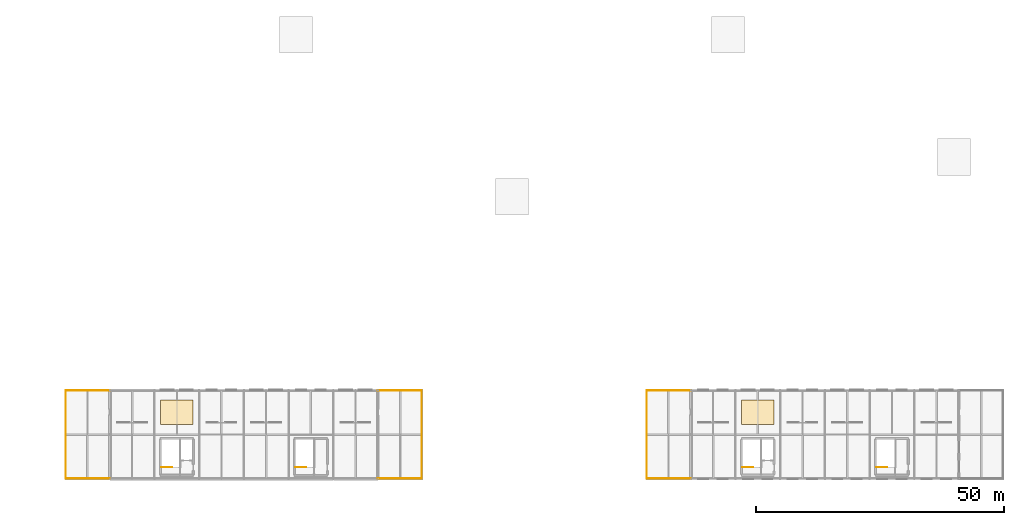
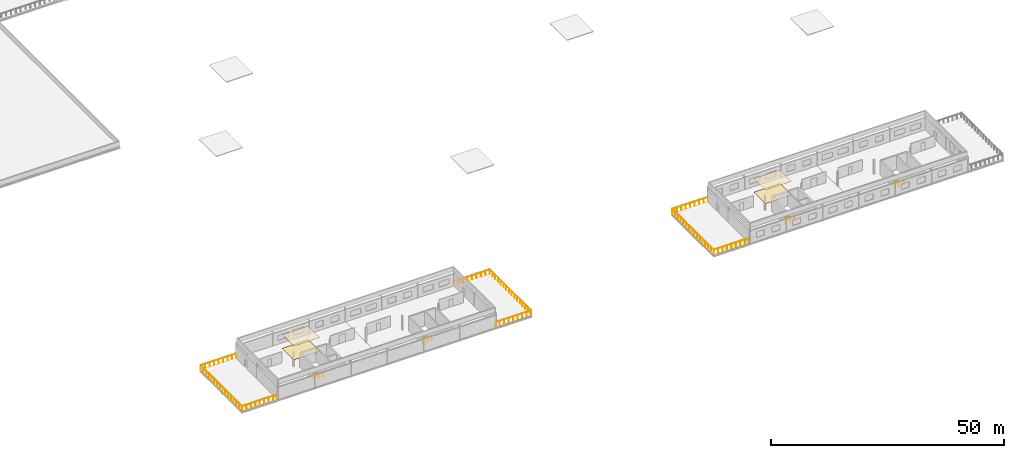
# One storey, part 16 of 18: 7 railings, 4 coverings.
"""IFC4 building model written with IfcOpenShell, lengths in metres."""

from ifc_helpers import new_model, si_unit, direction, frame, origin, origin_2d, place, context, subcontext, project, spatial, rectangle, circle, extrude, material, layer, layer_set, type_object, element, save


model = new_model("IFC4")

# Units and contexts
model_context = context("Model", 3, precision=1e-05, world=origin(), true_north=direction((0.0, 1.0)))
body_context = subcontext(model_context, "Body", "Model", "MODEL_VIEW")
ifc_project = project(units=[si_unit("LENGTHUNIT", "METRE"), si_unit("AREAUNIT", "SQUARE_METRE"), si_unit("VOLUMEUNIT", "CUBIC_METRE"), si_unit("PLANEANGLEUNIT", "RADIAN"), si_unit("MASSUNIT", "GRAM", prefix="KILO")], contexts=[model_context])

# Site, building, storey
site_placement = place(None, origin())
site = spatial("IfcSite", under=ifc_project, at=site_placement, CompositionType="ELEMENT")
building_placement = place(site_placement, origin())
building = spatial("IfcBuilding", under=site, at=building_placement, Name="Kildeholm Park Wholesale Market", CompositionType="ELEMENT")
storey_placement = place(building_placement, frame((0.0, 0.0, 13.5)))
storey = spatial("IfcBuildingStorey", under=building, at=storey_placement, Name="L03", CompositionType="ELEMENT", Elevation=13.5)

# Coverings
ifc_material_1 = material(Name="Polished terrazzo flooring")
ifc_layer_1 = layer(ifc_material_1, 0.030029296875)
ifc_layer_set_1 = layer_set([ifc_layer_1], Name="Polished terrazzo flooring")
covering_type_1 = type_object("IfcCoveringType", Name="Heavy-duty terrazzo market flooring CV-FLR1 30 mm", PredefinedType="FLOORING", material=ifc_layer_set_1)
for number, where, z_axis, x_axis, name in (
    (1, (31.5, 13.5, 0.0), (0.0, 0.0, 1.0), (1.0, 0.0, 0.0), "Market floor finish 11 COV-0061"),
    (2, (148.5, 13.5, 0.0), (0.0, 0.0, 1.0), (1.0, 0.0, 0.0), "Market floor finish 12 COV-0063"),
):
    element("IfcCovering", number, at=place(storey_placement, frame(where, z_axis=z_axis, x_axis=x_axis)), inside=storey, type_object=covering_type_1, Name=name, PredefinedType="FLOORING", context=body_context, shape_type="SweptSolid", body=[
        extrude(rectangle(XDim=6.5, YDim=5.0, at=origin_2d()), origin(), (0.0, 0.0, 1.0), 0.030029296875),
    ])
ifc_material_2 = material(Name="Washable acoustic mineral-fibre and aluminium ceiling", Category="aluminium")
ifc_layer_2 = layer(ifc_material_2, 0.044921875)
ifc_layer_set_2 = layer_set([ifc_layer_2], Name="Washable acoustic mineral-fibre and aluminium ceiling")
covering_type_2 = type_object("IfcCoveringType", Name="Hygienic acoustic suspended ceiling CV-CLG1 45 mm", PredefinedType="CEILING", material=ifc_layer_set_2)
covering_1_placement = place(storey_placement, frame((31.5, 13.5, 3.574951171875), z_axis=(0.0, 0.0, 1.0), x_axis=(1.0, 0.0, 0.0)))
element("IfcCovering", 3, at=covering_1_placement, inside=storey, type_object=covering_type_2, Name="Acoustic ceiling 11 COV-0062", PredefinedType="CEILING", context=body_context, shape_type="SweptSolid", body=[
    extrude(rectangle(XDim=6.5, YDim=5.0, at=origin_2d()), origin(), (0.0, 0.0, 1.0), 0.044921875),
])

# Railings
ifc_material_3 = material(Name="Painted steel and laminated glass balustrade", Category="steel")
railing_type_1 = type_object("IfcRailingType", Name="Interior gallery and stairwell guard GR-IN1 1200 mm", PredefinedType="GUARDRAIL", material=ifc_material_3)
for number, where, name in (
    (4, (28.360107421875, 2.429931640625, 0.0), "Stair C04 upper floor well guard L03 RLG-0059"),
    (5, (55.360107421875, 2.429931640625, 0.0), "Stair C05 upper floor well guard L03 RLG-0071"),
    (6, (145.360107421875, 2.429931640625, 0.0), "Stair C06 upper floor well guard L03 RLG-0083"),
    (7, (172.360107421875, 2.429931640625, 0.0), "Stair C07 upper floor well guard L03 RLG-0095"),
):
    element("IfcRailing", number, at=place(storey_placement, frame(where)), inside=storey, type_object=railing_type_1, Name=name, PredefinedType="GUARDRAIL", context=body_context, shape_type="SweptSolid", body=[
        extrude(circle(Radius=0.02392578125, at=origin_2d()), frame((0.0, 0.0, 1.17578125), z_axis=(1.0, 0.0, 0.0), x_axis=(0.0, 1.0, 0.0)), (0.0, 0.0, 1.0), 2.18994140625),
        extrude(circle(Radius=0.02099609375, at=origin_2d()), origin(), (0.0, 0.0, 1.0), 1.15185546875),
        extrude(circle(Radius=0.02099609375, at=origin_2d()), frame((1.094970703125, 0.0, 0.0)), (0.0, 0.0, 1.0), 1.15185546875),
        extrude(circle(Radius=0.02099609375, at=origin_2d()), frame((2.18994140625, 0.0, 0.0)), (0.0, 0.0, 1.0), 1.15185546875),
    ])
ifc_material_4 = material(Name="Painted galvanized steel and ceramic balustrade", Category="steel")
railing_type_2 = type_object("IfcRailingType", Name="Park terrace ornamental balustrade GR-EX2 1250 mm", PredefinedType="GUARDRAIL", material=ifc_material_4)
railing_1_placement = place(storey_placement, frame((135.0, 0.14990234375, 0.0)))
element("IfcRailing", 8, at=railing_1_placement, inside=storey, type_object=railing_type_2, Name="V5E L03 west terrace balustrade RLG-0008", PredefinedType="GUARDRAIL", context=body_context, shape_type="SweptSolid", body=[
    extrude(circle(Radius=0.02392578125, at=origin_2d()), frame((0.0, 0.0, 1.22607421875), z_axis=(-1.0, 0.0, 0.0), x_axis=(0.0, -1.0, 0.0)), (0.0, 0.0, 1.0), 8.85009765625),
    extrude(circle(Radius=0.02392578125, at=origin_2d()), frame((-8.85009765625, 0.0, 1.22607421875), z_axis=(0.0, 1.0, 0.0), x_axis=(-1.0, 0.0, 0.0)), (0.0, 0.0, 1.0), 17.7001953125),
    extrude(circle(Radius=0.02392578125, at=origin_2d()), frame((-8.85009765625, 17.7001953125, 1.22607421875), z_axis=(1.0, 0.0, 0.0), x_axis=(0.0, 1.0, 0.0)), (0.0, 0.0, 1.0), 8.85009765625),
    extrude(circle(Radius=0.02099609375, at=origin_2d()), origin(), (0.0, 0.0, 1.0), 1.201904296875),
    extrude(circle(Radius=0.02099609375, at=origin_2d()), frame((-1.106201171875, 0.0, 0.0)), (0.0, 0.0, 1.0), 1.201904296875),
    extrude(circle(Radius=0.02099609375, at=origin_2d()), frame((-2.21240234375, 0.0, 0.0)), (0.0, 0.0, 1.0), 1.201904296875),
    extrude(circle(Radius=0.02099609375, at=origin_2d()), frame((-3.31884765625, 0.0, 0.0)), (0.0, 0.0, 1.0), 1.201904296875),
    extrude(circle(Radius=0.02099609375, at=origin_2d()), frame((-4.425048828125, 0.0, 0.0)), (0.0, 0.0, 1.0), 1.201904296875),
    extrude(circle(Radius=0.02099609375, at=origin_2d()), frame((-5.53125, 0.0, 0.0)), (0.0, 0.0, 1.0), 1.201904296875),
    extrude(circle(Radius=0.02099609375, at=origin_2d()), frame((-6.6376953125, 0.0, 0.0)), (0.0, 0.0, 1.0), 1.201904296875),
    extrude(circle(Radius=0.02099609375, at=origin_2d()), frame((-7.743896484375, 0.0, 0.0)), (0.0, 0.0, 1.0), 1.201904296875),
    extrude(circle(Radius=0.02099609375, at=origin_2d()), frame((-8.85009765625, 0.0, 0.0)), (0.0, 0.0, 1.0), 1.201904296875),
    extrude(circle(Radius=0.02099609375, at=origin_2d()), frame((-8.85009765625, 1.179931640625, 0.0)), (0.0, 0.0, 1.0), 1.201904296875),
    extrude(circle(Radius=0.02099609375, at=origin_2d()), frame((-8.85009765625, 2.360107421875, 0.0)), (0.0, 0.0, 1.0), 1.201904296875),
    extrude(circle(Radius=0.02099609375, at=origin_2d()), frame((-8.85009765625, 3.5400390625, 0.0)), (0.0, 0.0, 1.0), 1.201904296875),
    extrude(circle(Radius=0.02099609375, at=origin_2d()), frame((-8.85009765625, 4.719970703125, 0.0)), (0.0, 0.0, 1.0), 1.201904296875),
    extrude(circle(Radius=0.02099609375, at=origin_2d()), frame((-8.85009765625, 5.900146484375, 0.0)), (0.0, 0.0, 1.0), 1.201904296875),
    extrude(circle(Radius=0.02099609375, at=origin_2d()), frame((-8.85009765625, 7.080078125, 0.0)), (0.0, 0.0, 1.0), 1.201904296875),
    extrude(circle(Radius=0.02099609375, at=origin_2d()), frame((-8.85009765625, 8.260009765625, 0.0)), (0.0, 0.0, 1.0), 1.201904296875),
    extrude(circle(Radius=0.02099609375, at=origin_2d()), frame((-8.85009765625, 9.440185546875, 0.0)), (0.0, 0.0, 1.0), 1.201904296875),
    extrude(circle(Radius=0.02099609375, at=origin_2d()), frame((-8.85009765625, 10.6201171875, 0.0)), (0.0, 0.0, 1.0), 1.201904296875),
    extrude(circle(Radius=0.02099609375, at=origin_2d()), frame((-8.85009765625, 11.800048828125, 0.0)), (0.0, 0.0, 1.0), 1.201904296875),
    extrude(circle(Radius=0.02099609375, at=origin_2d()), frame((-8.85009765625, 12.980224609375, 0.0)), (0.0, 0.0, 1.0), 1.201904296875),
    extrude(circle(Radius=0.02099609375, at=origin_2d()), frame((-8.85009765625, 14.16015625, 0.0)), (0.0, 0.0, 1.0), 1.201904296875),
    extrude(circle(Radius=0.02099609375, at=origin_2d()), frame((-8.85009765625, 15.340087890625, 0.0)), (0.0, 0.0, 1.0), 1.201904296875),
    extrude(circle(Radius=0.02099609375, at=origin_2d()), frame((-8.85009765625, 16.520263671875, 0.0)), (0.0, 0.0, 1.0), 1.201904296875),
    extrude(circle(Radius=0.02099609375, at=origin_2d()), frame((-8.85009765625, 17.7001953125, 0.0)), (0.0, 0.0, 1.0), 1.201904296875),
    extrude(circle(Radius=0.02099609375, at=origin_2d()), frame((-7.743896484375, 17.7001953125, 0.0)), (0.0, 0.0, 1.0), 1.201904296875),
    extrude(circle(Radius=0.02099609375, at=origin_2d()), frame((-6.6376953125, 17.7001953125, 0.0)), (0.0, 0.0, 1.0), 1.201904296875),
    extrude(circle(Radius=0.02099609375, at=origin_2d()), frame((-5.53125, 17.7001953125, 0.0)), (0.0, 0.0, 1.0), 1.201904296875),
    extrude(circle(Radius=0.02099609375, at=origin_2d()), frame((-4.425048828125, 17.7001953125, 0.0)), (0.0, 0.0, 1.0), 1.201904296875),
    extrude(circle(Radius=0.02099609375, at=origin_2d()), frame((-3.31884765625, 17.7001953125, 0.0)), (0.0, 0.0, 1.0), 1.201904296875),
    extrude(circle(Radius=0.02099609375, at=origin_2d()), frame((-2.21240234375, 17.7001953125, 0.0)), (0.0, 0.0, 1.0), 1.201904296875),
    extrude(circle(Radius=0.02099609375, at=origin_2d()), frame((-1.106201171875, 17.7001953125, 0.0)), (0.0, 0.0, 1.0), 1.201904296875),
    extrude(circle(Radius=0.02099609375, at=origin_2d()), frame((0.0, 17.7001953125, 0.0)), (0.0, 0.0, 1.0), 1.201904296875),
])

# Covering
ifc_material_5 = material(Name="Fire-retardant acoustic baffle ceiling")
ifc_layer_3 = layer(ifc_material_5, 0.054931640625)
ifc_layer_set_3 = layer_set([ifc_layer_3], Name="Fire-retardant acoustic baffle ceiling")
covering_type_3 = type_object("IfcCoveringType", Name="Perforated acoustic timber-slat ceiling CV-CLG2 55 mm", PredefinedType="CEILING", material=ifc_layer_set_3)
covering_2_placement = place(storey_placement, frame((148.5, 13.5, 3.56494140625), z_axis=(0.0, 0.0, 1.0), x_axis=(1.0, 0.0, 0.0)))
element("IfcCovering", 9, at=covering_2_placement, inside=storey, type_object=covering_type_3, Name="Acoustic ceiling 12 COV-0064", PredefinedType="CEILING", context=body_context, shape_type="SweptSolid", body=[
    extrude(rectangle(XDim=6.5, YDim=5.0, at=origin_2d()), origin(), (0.0, 0.0, 1.0), 0.054931640625),
])

# Railings
ifc_material_6 = material(Name="Painted galvanized steel and stainless-steel balustrade", Category="steel")
railing_type_3 = type_object("IfcRailingType", Name="Terrace and roof-garden balustrade GR-EX1 1200 mm", PredefinedType="GUARDRAIL", material=ifc_material_6)
railing_2_placement = place(storey_placement, frame((18.0, 0.14990234375, 0.0)))
element("IfcRailing", 10, at=railing_2_placement, inside=storey, type_object=railing_type_3, Name="V5W L03 west terrace balustrade RLG-0005", PredefinedType="GUARDRAIL", context=body_context, shape_type="SweptSolid", body=[
    extrude(circle(Radius=0.02392578125, at=origin_2d()), frame((0.0, 0.0, 1.17578125), z_axis=(-1.0, 0.0, 0.0), x_axis=(0.0, -1.0, 0.0)), (0.0, 0.0, 1.0), 8.85009765625),
    extrude(circle(Radius=0.02392578125, at=origin_2d()), frame((-8.85009765625, 0.0, 1.17578125), z_axis=(0.0, 1.0, 0.0), x_axis=(-1.0, 0.0, 0.0)), (0.0, 0.0, 1.0), 17.7001953125),
    extrude(circle(Radius=0.02392578125, at=origin_2d()), frame((-8.85009765625, 17.7001953125, 1.17578125), z_axis=(1.0, 0.0, 0.0), x_axis=(0.0, 1.0, 0.0)), (0.0, 0.0, 1.0), 8.85009765625),
    extrude(circle(Radius=0.02099609375, at=origin_2d()), origin(), (0.0, 0.0, 1.0), 1.15185546875),
    extrude(circle(Radius=0.02099609375, at=origin_2d()), frame((-1.106201171875, 0.0, 0.0)), (0.0, 0.0, 1.0), 1.15185546875),
    extrude(circle(Radius=0.02099609375, at=origin_2d()), frame((-2.21240234375, 0.0, 0.0)), (0.0, 0.0, 1.0), 1.15185546875),
    extrude(circle(Radius=0.02099609375, at=origin_2d()), frame((-3.31884765625, 0.0, 0.0)), (0.0, 0.0, 1.0), 1.15185546875),
    extrude(circle(Radius=0.02099609375, at=origin_2d()), frame((-4.425048828125, 0.0, 0.0)), (0.0, 0.0, 1.0), 1.15185546875),
    extrude(circle(Radius=0.02099609375, at=origin_2d()), frame((-5.53125, 0.0, 0.0)), (0.0, 0.0, 1.0), 1.15185546875),
    extrude(circle(Radius=0.02099609375, at=origin_2d()), frame((-6.6376953125, 0.0, 0.0)), (0.0, 0.0, 1.0), 1.15185546875),
    extrude(circle(Radius=0.02099609375, at=origin_2d()), frame((-7.743896484375, 0.0, 0.0)), (0.0, 0.0, 1.0), 1.15185546875),
    extrude(circle(Radius=0.02099609375, at=origin_2d()), frame((-8.85009765625, 0.0, 0.0)), (0.0, 0.0, 1.0), 1.15185546875),
    extrude(circle(Radius=0.02099609375, at=origin_2d()), frame((-8.85009765625, 1.179931640625, 0.0)), (0.0, 0.0, 1.0), 1.15185546875),
    extrude(circle(Radius=0.02099609375, at=origin_2d()), frame((-8.85009765625, 2.360107421875, 0.0)), (0.0, 0.0, 1.0), 1.15185546875),
    extrude(circle(Radius=0.02099609375, at=origin_2d()), frame((-8.85009765625, 3.5400390625, 0.0)), (0.0, 0.0, 1.0), 1.15185546875),
    extrude(circle(Radius=0.02099609375, at=origin_2d()), frame((-8.85009765625, 4.719970703125, 0.0)), (0.0, 0.0, 1.0), 1.15185546875),
    extrude(circle(Radius=0.02099609375, at=origin_2d()), frame((-8.85009765625, 5.900146484375, 0.0)), (0.0, 0.0, 1.0), 1.15185546875),
    extrude(circle(Radius=0.02099609375, at=origin_2d()), frame((-8.85009765625, 7.080078125, 0.0)), (0.0, 0.0, 1.0), 1.15185546875),
    extrude(circle(Radius=0.02099609375, at=origin_2d()), frame((-8.85009765625, 8.260009765625, 0.0)), (0.0, 0.0, 1.0), 1.15185546875),
    extrude(circle(Radius=0.02099609375, at=origin_2d()), frame((-8.85009765625, 9.440185546875, 0.0)), (0.0, 0.0, 1.0), 1.15185546875),
    extrude(circle(Radius=0.02099609375, at=origin_2d()), frame((-8.85009765625, 10.6201171875, 0.0)), (0.0, 0.0, 1.0), 1.15185546875),
    extrude(circle(Radius=0.02099609375, at=origin_2d()), frame((-8.85009765625, 11.800048828125, 0.0)), (0.0, 0.0, 1.0), 1.15185546875),
    extrude(circle(Radius=0.02099609375, at=origin_2d()), frame((-8.85009765625, 12.980224609375, 0.0)), (0.0, 0.0, 1.0), 1.15185546875),
    extrude(circle(Radius=0.02099609375, at=origin_2d()), frame((-8.85009765625, 14.16015625, 0.0)), (0.0, 0.0, 1.0), 1.15185546875),
    extrude(circle(Radius=0.02099609375, at=origin_2d()), frame((-8.85009765625, 15.340087890625, 0.0)), (0.0, 0.0, 1.0), 1.15185546875),
    extrude(circle(Radius=0.02099609375, at=origin_2d()), frame((-8.85009765625, 16.520263671875, 0.0)), (0.0, 0.0, 1.0), 1.15185546875),
    extrude(circle(Radius=0.02099609375, at=origin_2d()), frame((-8.85009765625, 17.7001953125, 0.0)), (0.0, 0.0, 1.0), 1.15185546875),
    extrude(circle(Radius=0.02099609375, at=origin_2d()), frame((-7.743896484375, 17.7001953125, 0.0)), (0.0, 0.0, 1.0), 1.15185546875),
    extrude(circle(Radius=0.02099609375, at=origin_2d()), frame((-6.6376953125, 17.7001953125, 0.0)), (0.0, 0.0, 1.0), 1.15185546875),
    extrude(circle(Radius=0.02099609375, at=origin_2d()), frame((-5.53125, 17.7001953125, 0.0)), (0.0, 0.0, 1.0), 1.15185546875),
    extrude(circle(Radius=0.02099609375, at=origin_2d()), frame((-4.425048828125, 17.7001953125, 0.0)), (0.0, 0.0, 1.0), 1.15185546875),
    extrude(circle(Radius=0.02099609375, at=origin_2d()), frame((-3.31884765625, 17.7001953125, 0.0)), (0.0, 0.0, 1.0), 1.15185546875),
    extrude(circle(Radius=0.02099609375, at=origin_2d()), frame((-2.21240234375, 17.7001953125, 0.0)), (0.0, 0.0, 1.0), 1.15185546875),
    extrude(circle(Radius=0.02099609375, at=origin_2d()), frame((-1.106201171875, 17.7001953125, 0.0)), (0.0, 0.0, 1.0), 1.15185546875),
    extrude(circle(Radius=0.02099609375, at=origin_2d()), frame((0.0, 17.7001953125, 0.0)), (0.0, 0.0, 1.0), 1.15185546875),
])
railing_3_placement = place(storey_placement, frame((72.0, 0.14990234375, 0.0)))
element("IfcRailing", 11, at=railing_3_placement, inside=storey, type_object=railing_type_3, Name="V5W L03 east terrace balustrade RLG-0006", PredefinedType="GUARDRAIL", context=body_context, shape_type="SweptSolid", body=[
    extrude(circle(Radius=0.02392578125, at=origin_2d()), frame((0.0, 0.0, 1.17578125), z_axis=(1.0, 0.0, 0.0), x_axis=(0.0, 1.0, 0.0)), (0.0, 0.0, 1.0), 8.85009765625),
    extrude(circle(Radius=0.02392578125, at=origin_2d()), frame((8.85009765625, 0.0, 1.17578125), z_axis=(0.0, 1.0, 0.0), x_axis=(-1.0, 0.0, 0.0)), (0.0, 0.0, 1.0), 17.7001953125),
    extrude(circle(Radius=0.02392578125, at=origin_2d()), frame((8.85009765625, 17.7001953125, 1.17578125), z_axis=(-1.0, 0.0, 0.0), x_axis=(0.0, -1.0, 0.0)), (0.0, 0.0, 1.0), 8.85009765625),
    extrude(circle(Radius=0.02099609375, at=origin_2d()), origin(), (0.0, 0.0, 1.0), 1.15185546875),
    extrude(circle(Radius=0.02099609375, at=origin_2d()), frame((1.106201171875, 0.0, 0.0)), (0.0, 0.0, 1.0), 1.15185546875),
    extrude(circle(Radius=0.02099609375, at=origin_2d()), frame((2.21240234375, 0.0, 0.0)), (0.0, 0.0, 1.0), 1.15185546875),
    extrude(circle(Radius=0.02099609375, at=origin_2d()), frame((3.31884765625, 0.0, 0.0)), (0.0, 0.0, 1.0), 1.15185546875),
    extrude(circle(Radius=0.02099609375, at=origin_2d()), frame((4.425048828125, 0.0, 0.0)), (0.0, 0.0, 1.0), 1.15185546875),
    extrude(circle(Radius=0.02099609375, at=origin_2d()), frame((5.53125, 0.0, 0.0)), (0.0, 0.0, 1.0), 1.15185546875),
    extrude(circle(Radius=0.02099609375, at=origin_2d()), frame((6.6376953125, 0.0, 0.0)), (0.0, 0.0, 1.0), 1.15185546875),
    extrude(circle(Radius=0.02099609375, at=origin_2d()), frame((7.743896484375, 0.0, 0.0)), (0.0, 0.0, 1.0), 1.15185546875),
    extrude(circle(Radius=0.02099609375, at=origin_2d()), frame((8.85009765625, 0.0, 0.0)), (0.0, 0.0, 1.0), 1.15185546875),
    extrude(circle(Radius=0.02099609375, at=origin_2d()), frame((8.85009765625, 1.179931640625, 0.0)), (0.0, 0.0, 1.0), 1.15185546875),
    extrude(circle(Radius=0.02099609375, at=origin_2d()), frame((8.85009765625, 2.360107421875, 0.0)), (0.0, 0.0, 1.0), 1.15185546875),
    extrude(circle(Radius=0.02099609375, at=origin_2d()), frame((8.85009765625, 3.5400390625, 0.0)), (0.0, 0.0, 1.0), 1.15185546875),
    extrude(circle(Radius=0.02099609375, at=origin_2d()), frame((8.85009765625, 4.719970703125, 0.0)), (0.0, 0.0, 1.0), 1.15185546875),
    extrude(circle(Radius=0.02099609375, at=origin_2d()), frame((8.85009765625, 5.900146484375, 0.0)), (0.0, 0.0, 1.0), 1.15185546875),
    extrude(circle(Radius=0.02099609375, at=origin_2d()), frame((8.85009765625, 7.080078125, 0.0)), (0.0, 0.0, 1.0), 1.15185546875),
    extrude(circle(Radius=0.02099609375, at=origin_2d()), frame((8.85009765625, 8.260009765625, 0.0)), (0.0, 0.0, 1.0), 1.15185546875),
    extrude(circle(Radius=0.02099609375, at=origin_2d()), frame((8.85009765625, 9.440185546875, 0.0)), (0.0, 0.0, 1.0), 1.15185546875),
    extrude(circle(Radius=0.02099609375, at=origin_2d()), frame((8.85009765625, 10.6201171875, 0.0)), (0.0, 0.0, 1.0), 1.15185546875),
    extrude(circle(Radius=0.02099609375, at=origin_2d()), frame((8.85009765625, 11.800048828125, 0.0)), (0.0, 0.0, 1.0), 1.15185546875),
    extrude(circle(Radius=0.02099609375, at=origin_2d()), frame((8.85009765625, 12.980224609375, 0.0)), (0.0, 0.0, 1.0), 1.15185546875),
    extrude(circle(Radius=0.02099609375, at=origin_2d()), frame((8.85009765625, 14.16015625, 0.0)), (0.0, 0.0, 1.0), 1.15185546875),
    extrude(circle(Radius=0.02099609375, at=origin_2d()), frame((8.85009765625, 15.340087890625, 0.0)), (0.0, 0.0, 1.0), 1.15185546875),
    extrude(circle(Radius=0.02099609375, at=origin_2d()), frame((8.85009765625, 16.520263671875, 0.0)), (0.0, 0.0, 1.0), 1.15185546875),
    extrude(circle(Radius=0.02099609375, at=origin_2d()), frame((8.85009765625, 17.7001953125, 0.0)), (0.0, 0.0, 1.0), 1.15185546875),
    extrude(circle(Radius=0.02099609375, at=origin_2d()), frame((7.743896484375, 17.7001953125, 0.0)), (0.0, 0.0, 1.0), 1.15185546875),
    extrude(circle(Radius=0.02099609375, at=origin_2d()), frame((6.6376953125, 17.7001953125, 0.0)), (0.0, 0.0, 1.0), 1.15185546875),
    extrude(circle(Radius=0.02099609375, at=origin_2d()), frame((5.53125, 17.7001953125, 0.0)), (0.0, 0.0, 1.0), 1.15185546875),
    extrude(circle(Radius=0.02099609375, at=origin_2d()), frame((4.425048828125, 17.7001953125, 0.0)), (0.0, 0.0, 1.0), 1.15185546875),
    extrude(circle(Radius=0.02099609375, at=origin_2d()), frame((3.31884765625, 17.7001953125, 0.0)), (0.0, 0.0, 1.0), 1.15185546875),
    extrude(circle(Radius=0.02099609375, at=origin_2d()), frame((2.21240234375, 17.7001953125, 0.0)), (0.0, 0.0, 1.0), 1.15185546875),
    extrude(circle(Radius=0.02099609375, at=origin_2d()), frame((1.106201171875, 17.7001953125, 0.0)), (0.0, 0.0, 1.0), 1.15185546875),
    extrude(circle(Radius=0.02099609375, at=origin_2d()), frame((0.0, 17.7001953125, 0.0)), (0.0, 0.0, 1.0), 1.15185546875),
])

save(model, "model.ifc")
